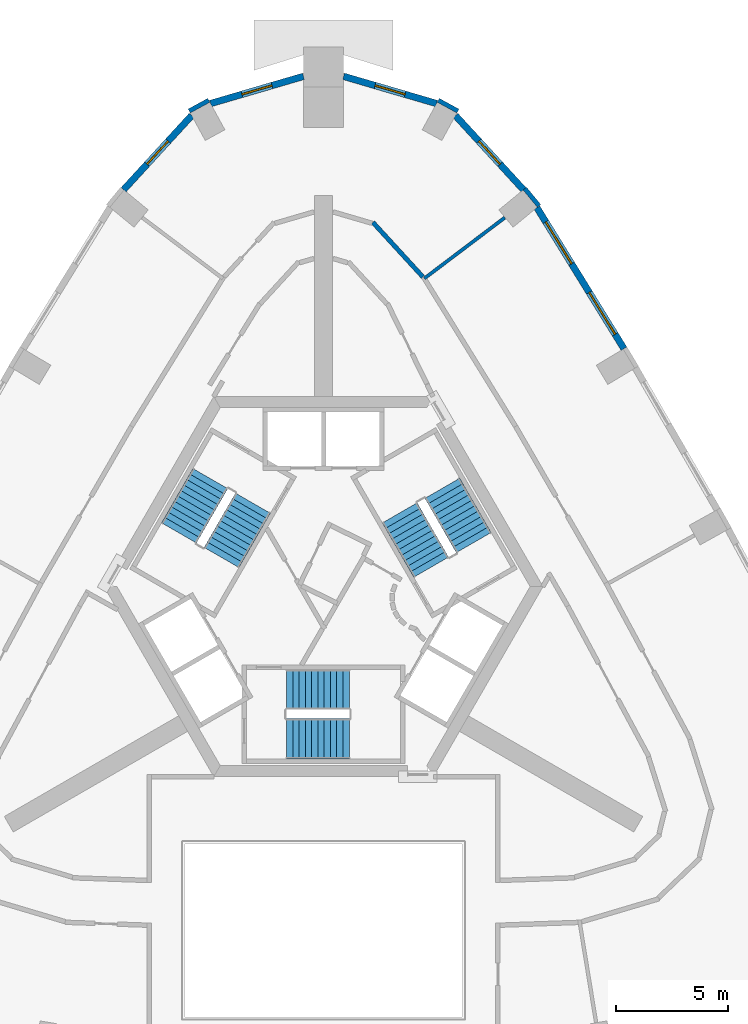
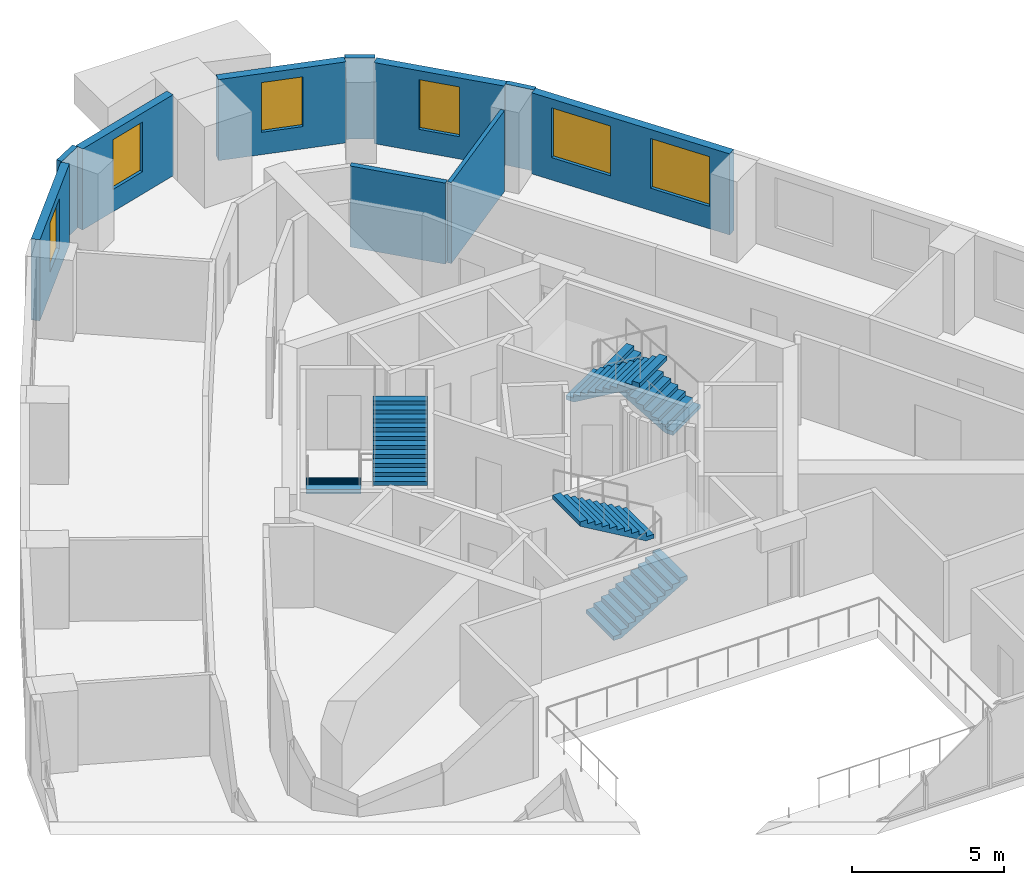
# One storey, part 7 of 9: 10 walls, 6 stair flights, 6 windows, 6 openings, 3 elements without a shape of their own.
"""IFC4 building model written with IfcOpenShell, lengths in metres."""

from ifc_helpers import new_model, si_unit, direction, frame, frame_2d, origin, place, context, subcontext, project, spatial, polyline, rectangle, outline, extrude, material, layer, layer_set, type_object, element, fill, aggregate, save


model = new_model("IFC4")

# Units and contexts
model_context = context("Model", 3, precision=1e-05, world=origin(), true_north=direction((0.0, 1.0)))
body_context = subcontext(model_context, "Body", "Model", "MODEL_VIEW")
ifc_project = project(units=[si_unit("LENGTHUNIT", "METRE"), si_unit("AREAUNIT", "SQUARE_METRE"), si_unit("VOLUMEUNIT", "CUBIC_METRE"), si_unit("PLANEANGLEUNIT", "RADIAN"), si_unit("MASSUNIT", "GRAM", prefix="KILO")], contexts=[model_context])

# Site, building, storey
site_placement = place(None, origin())
site = spatial("IfcSite", under=ifc_project, at=site_placement, CompositionType="ELEMENT")
building_placement = place(site_placement, origin())
building = spatial("IfcBuilding", under=site, at=building_placement, Name="Entoto Arch Interchange Tower", CompositionType="ELEMENT")
storey_placement = place(building_placement, frame((0.0, 0.0, 315.199951171875)))
storey = spatial("IfcBuildingStorey", under=building, at=storey_placement, Name="L74", CompositionType="ELEMENT", Elevation=315.199951171875)

# Walls
ifc_material_1 = material(Name="Gypsum board partition on steel studs", Category="steel")
ifc_layer_1 = layer(ifc_material_1, 0.14990234375)
ifc_layer_set_1 = layer_set([ifc_layer_1], Name="Gypsum board partition on steel studs")
wall_type_1 = type_object("IfcWallType", Name="PARTITION 150", PredefinedType="PARTITIONING", material=ifc_layer_set_1)
wall_1_placement = place(storey_placement, frame((4.507080078125, 16.279052734375, 0.0), z_axis=(0.0, 0.0, 1.0), x_axis=(0.797594482062, 0.603194033611, 0.0)))
element("IfcWall", 1, at=wall_1_placement, inside=storey, type_object=wall_type_1, Name="wall:L74:p071", PredefinedType="PARTITIONING", context=body_context, shape_type="SweptSolid", body=[
    extrude(rectangle(XDim=4.506103515625, YDim=0.14990234375, at=frame_2d((2.2529296875, 0.0))), origin(), (0.0, 0.0, 1.0), 3.260009765625),
])
ifc_layer_2 = layer(ifc_material_1, 0.199951171875)
ifc_layer_set_2 = layer_set([ifc_layer_2], Name="Gypsum board partition on steel studs")
wall_type_2 = type_object("IfcWallType", Name="PARTITION 200", PredefinedType="PARTITIONING", material=ifc_layer_set_2)
wall_2_placement = place(storey_placement, frame((2.2041015625, 18.791015625, 0.0), z_axis=(0.0, 0.0, 1.0), x_axis=(0.675731313907, -0.737148011871, 0.0)))
element("IfcWall", 2, at=wall_2_placement, inside=storey, type_object=wall_type_2, Name="wall:L74:p041", PredefinedType="PARTITIONING", context=body_context, shape_type="SweptSolid", body=[
    extrude(rectangle(XDim=3.307373046875, YDim=0.199951171875, at=frame_2d((1.65380859375, 0.0))), origin(), (0.0, 0.0, 1.0), 3.260009765625),
])

# Wall, openings, windows
ifc_material_2 = material(Name="Welded tuff (ignimbrite) cladding, warm buff", Category="masonry")
ifc_layer_3 = layer(ifc_material_2, 0.300048828125)
ifc_layer_set_3 = layer_set([ifc_layer_3], Name="Welded tuff (ignimbrite) cladding, warm buff")
wall_type_3 = type_object("IfcWallType", Name="STONE INFILL WALL 300", PredefinedType="STANDARD", material=ifc_layer_set_3)
wall_3_placement = place(storey_placement, frame((13.43505859375, 13.139892578125, 0.0), z_axis=(0.0, 0.0, 1.0), x_axis=(-0.525070792614, 0.851058554239, 0.0)))
wall_3 = element("IfcWall", 3, at=wall_3_placement, inside=storey, type_object=wall_type_3, Name="Facade wall NE-03 L74", PredefinedType="STANDARD", context=body_context, shape_type="SweptSolid", body=[
    extrude(rectangle(XDim=7.414306640625, YDim=0.300048828125, at=frame_2d((3.70703125, 0.0))), origin(), (0.0, 0.0, 1.0), 3.260009765625),
])
opening_1_placement = place(wall_3_placement, frame((0.75390625, 0.0, 0.89990234375)))
opening_1 = element("IfcOpeningElement", 4, at=opening_1_placement, cuts=wall_3, Name="Opening WH-A", PredefinedType="OPENING", context=body_context, shape_type="SweptSolid", body=[
    extrude(rectangle(XDim=2.199951171875, YDim=2.0, at=frame_2d((1.10009765625, 1.0))), frame((0.0, 0.16015625, 0.0), z_axis=(0.0, -1.0, 0.0), x_axis=(1.0, 0.0, 0.0)), (0.0, 0.0, 1.0), 0.320068359375),
])
opening_2_placement = place(wall_3_placement, frame((4.4609375, 0.0, 0.89990234375)))
opening_2 = element("IfcOpeningElement", 5, at=opening_2_placement, cuts=wall_3, Name="Opening WH-A", PredefinedType="OPENING", context=body_context, shape_type="SweptSolid", body=[
    extrude(rectangle(XDim=2.199951171875, YDim=2.0, at=frame_2d((1.10009765625, 1.0))), frame((0.0, 0.16015625, 0.0), z_axis=(0.0, -1.0, 0.0), x_axis=(1.0, 0.0, 0.0)), (0.0, 0.0, 1.0), 0.320068359375),
])
ifc_material_3 = material(Name="Clear glass, low-e double glazed", Category="glass")
window_type_1 = type_object("IfcWindowType", Name="WINDOW WH-A 2200x2000", PartitioningType="DOUBLE_PANEL_VERTICAL", PredefinedType="WINDOW", material=ifc_material_3)
window_1_placement = place(opening_1_placement, origin())
window_1 = element("IfcWindow", 6, at=window_1_placement, inside=storey, type_object=window_type_1, Name="Window WH-A NE-03 L74", OverallHeight=2.0, OverallWidth=2.199951171875, PartitioningType="SINGLE_PANEL", PredefinedType="WINDOW", context=body_context, shape_type="SweptSolid", body=[
    extrude(rectangle(XDim=2.199951171875, YDim=2.0, at=frame_2d((1.10009765625, 1.0))), frame((0.0, 0.030029296875, 0.0), z_axis=(0.0, -1.0, 0.0), x_axis=(1.0, 0.0, 0.0)), (0.0, 0.0, 1.0), 0.06005859375),
])
fill(opening_1, window_1)
window_2_placement = place(opening_2_placement, origin())
window_2 = element("IfcWindow", 7, at=window_2_placement, inside=storey, type_object=window_type_1, Name="Window WH-A NE-03 L74", OverallHeight=2.0, OverallWidth=2.199951171875, PartitioningType="SINGLE_PANEL", PredefinedType="WINDOW", context=body_context, shape_type="SweptSolid", body=[
    extrude(rectangle(XDim=2.199951171875, YDim=2.0, at=frame_2d((1.10009765625, 1.0))), frame((0.0, 0.030029296875, 0.0), z_axis=(0.0, -1.0, 0.0), x_axis=(1.0, 0.0, 0.0)), (0.0, 0.0, 1.0), 0.06005859375),
])
fill(opening_2, window_2)

# Wall, opening, window
wall_4_placement = place(storey_placement, frame((8.93994140625, 20.248046875, 0.0), z_axis=(0.0, 0.0, 1.0), x_axis=(-0.675798306171, 0.737086595575, 0.0)))
wall_4 = element("IfcWall", 8, at=wall_4_placement, inside=storey, type_object=wall_type_3, Name="Facade wall N-01 L74", PredefinedType="STANDARD", context=body_context, shape_type="SweptSolid", body=[
    extrude(rectangle(XDim=4.501220703125, YDim=0.300048828125, at=frame_2d((2.25048828125, 0.0))), origin(), (0.0, 0.0, 1.0), 3.260009765625),
])
opening_3_placement = place(wall_4_placement, frame((1.551025390625, 0.0, 0.89990234375)))
opening_3 = element("IfcOpeningElement", 9, at=opening_3_placement, cuts=wall_4, Name="Opening WH-B", PredefinedType="OPENING", context=body_context, shape_type="SweptSolid", body=[
    extrude(rectangle(XDim=1.39990234375, YDim=2.0, at=frame_2d((0.699951171875, 1.0))), frame((0.0, 0.16015625, 0.0), z_axis=(0.0, -1.0, 0.0), x_axis=(1.0, 0.0, 0.0)), (0.0, 0.0, 1.0), 0.320068359375),
])
window_type_2 = type_object("IfcWindowType", Name="WINDOW WH-B 1400x2000", PartitioningType="DOUBLE_PANEL_VERTICAL", PredefinedType="WINDOW", material=ifc_material_3)
window_3_placement = place(opening_3_placement, origin())
window_3 = element("IfcWindow", 10, at=window_3_placement, inside=storey, type_object=window_type_2, Name="Window WH-B N-01 L74", OverallHeight=2.0, OverallWidth=1.39990234375, PartitioningType="SINGLE_PANEL", PredefinedType="WINDOW", context=body_context, shape_type="SweptSolid", body=[
    extrude(rectangle(XDim=1.39990234375, YDim=2.0, at=frame_2d((0.699951171875, 1.0))), frame((0.0, 0.030029296875, 0.0), z_axis=(0.0, -1.0, 0.0), x_axis=(1.0, 0.0, 0.0)), (0.0, 0.0, 1.0), 0.06005859375),
])
fill(opening_3, window_3)

wall_5_placement = place(storey_placement, frame((5.052978515625, 24.10302734375, 0.0), z_axis=(0.0, 0.0, 1.0), x_axis=(-0.959783015329, 0.28074287789, 0.0)))
wall_5 = element("IfcWall", 11, at=wall_5_placement, inside=storey, type_object=wall_type_3, Name="Facade wall N-02 L74", PredefinedType="STANDARD", context=body_context, shape_type="SweptSolid", body=[
    extrude(rectangle(XDim=4.328125, YDim=0.300048828125, at=frame_2d((2.1640625, 0.0))), origin(), (0.0, 0.0, 1.0), 3.260009765625),
])
opening_4_placement = place(wall_5_placement, frame((1.464111328125, 0.0, 0.89990234375)))
opening_4 = element("IfcOpeningElement", 12, at=opening_4_placement, cuts=wall_5, Name="Opening WH-B", PredefinedType="OPENING", context=body_context, shape_type="SweptSolid", body=[
    extrude(rectangle(XDim=1.39990234375, YDim=2.0, at=frame_2d((0.699951171875, 1.0))), frame((0.0, 0.16015625, 0.0), z_axis=(0.0, -1.0, 0.0), x_axis=(1.0, 0.0, 0.0)), (0.0, 0.0, 1.0), 0.320068359375),
])
window_4_placement = place(opening_4_placement, origin())
window_4 = element("IfcWindow", 13, at=window_4_placement, inside=storey, type_object=window_type_2, Name="Window WH-B N-02 L74", OverallHeight=2.0, OverallWidth=1.39990234375, PartitioningType="SINGLE_PANEL", PredefinedType="WINDOW", context=body_context, shape_type="SweptSolid", body=[
    extrude(rectangle(XDim=1.39990234375, YDim=2.0, at=frame_2d((0.699951171875, 1.0))), frame((0.0, 0.030029296875, 0.0), z_axis=(0.0, -1.0, 0.0), x_axis=(1.0, 0.0, 0.0)), (0.0, 0.0, 1.0), 0.06005859375),
])
fill(opening_4, window_4)

wall_6_placement = place(storey_placement, frame((-0.89892578125, 25.318115234375, 0.0), z_axis=(0.0, 0.0, 1.0), x_axis=(-0.959783015329, -0.28074287789, 0.0)))
wall_6 = element("IfcWall", 14, at=wall_6_placement, inside=storey, type_object=wall_type_3, Name="Facade wall N-03 L74", PredefinedType="STANDARD", context=body_context, shape_type="SweptSolid", body=[
    extrude(rectangle(XDim=4.328125, YDim=0.300048828125, at=frame_2d((2.1640625, 0.0))), origin(), (0.0, 0.0, 1.0), 3.260009765625),
])
opening_5_placement = place(wall_6_placement, frame((1.464111328125, 0.0, 0.89990234375)))
opening_5 = element("IfcOpeningElement", 15, at=opening_5_placement, cuts=wall_6, Name="Opening WH-B", PredefinedType="OPENING", context=body_context, shape_type="SweptSolid", body=[
    extrude(rectangle(XDim=1.39990234375, YDim=2.0, at=frame_2d((0.699951171875, 1.0))), frame((0.0, 0.16015625, 0.0), z_axis=(0.0, -1.0, 0.0), x_axis=(1.0, 0.0, 0.0)), (0.0, 0.0, 1.0), 0.320068359375),
])
window_5_placement = place(opening_5_placement, origin())
window_5 = element("IfcWindow", 16, at=window_5_placement, inside=storey, type_object=window_type_2, Name="Window WH-B N-03 L74", OverallHeight=2.0, OverallWidth=1.39990234375, PartitioningType="SINGLE_PANEL", PredefinedType="WINDOW", context=body_context, shape_type="SweptSolid", body=[
    extrude(rectangle(XDim=1.39990234375, YDim=2.0, at=frame_2d((0.699951171875, 1.0))), frame((0.0, 0.030029296875, 0.0), z_axis=(0.0, -1.0, 0.0), x_axis=(1.0, 0.0, 0.0)), (0.0, 0.0, 1.0), 0.06005859375),
])
fill(opening_5, window_5)

wall_7_placement = place(storey_placement, frame((-5.89794921875, 23.56591796875, 0.0), z_axis=(0.0, 0.0, 1.0), x_axis=(-0.675798306171, -0.737086595575, 0.0)))
wall_7 = element("IfcWall", 17, at=wall_7_placement, inside=storey, type_object=wall_type_3, Name="Facade wall N-04 L74", PredefinedType="STANDARD", context=body_context, shape_type="SweptSolid", body=[
    extrude(rectangle(XDim=4.501220703125, YDim=0.300048828125, at=frame_2d((2.25048828125, 0.0))), origin(), (0.0, 0.0, 1.0), 3.260009765625),
])
opening_6_placement = place(wall_7_placement, frame((1.551025390625, 0.0, 0.89990234375)))
opening_6 = element("IfcOpeningElement", 18, at=opening_6_placement, cuts=wall_7, Name="Opening WH-B", PredefinedType="OPENING", context=body_context, shape_type="SweptSolid", body=[
    extrude(rectangle(XDim=1.39990234375, YDim=2.0, at=frame_2d((0.699951171875, 1.0))), frame((0.0, 0.16015625, 0.0), z_axis=(0.0, -1.0, 0.0), x_axis=(1.0, 0.0, 0.0)), (0.0, 0.0, 1.0), 0.320068359375),
])
window_6_placement = place(opening_6_placement, origin())
window_6 = element("IfcWindow", 19, at=window_6_placement, inside=storey, type_object=window_type_2, Name="Window WH-B N-04 L74", OverallHeight=2.0, OverallWidth=1.39990234375, PartitioningType="SINGLE_PANEL", PredefinedType="WINDOW", context=body_context, shape_type="SweptSolid", body=[
    extrude(rectangle(XDim=1.39990234375, YDim=2.0, at=frame_2d((0.699951171875, 1.0))), frame((0.0, 0.030029296875, 0.0), z_axis=(0.0, -1.0, 0.0), x_axis=(1.0, 0.0, 0.0)), (0.0, 0.0, 1.0), 0.06005859375),
])
fill(opening_6, window_6)

# Walls
ifc_layer_4 = layer(ifc_material_2, 0.199951171875)
ifc_layer_set_4 = layer_set([ifc_layer_4], Name="Welded tuff (ignimbrite) cladding, warm buff")
wall_type_4 = type_object("IfcWallType", Name="STONE PIER CLADDING 200", PredefinedType="STANDARD", material=ifc_layer_set_4)
for number, where, z_axis, x_axis, name in (
    (20, (6.008056640625, 23.76708984375, 0.0), (0.0, 0.0, 1.0), (-0.877895572914, 0.478852130681, 0.0), "Stone pier N1 L74"),
    (21, (-5.1298828125, 24.24609375, 0.0), (0.0, 0.0, 1.0), (-0.877895572914, -0.478852130681, 0.0), "Stone pier N3 L74"),
):
    element("IfcWall", number, at=place(storey_placement, frame(where, z_axis=z_axis, x_axis=x_axis)), inside=storey, type_object=wall_type_4, Name=name, PredefinedType="STANDARD", context=body_context, shape_type="SweptSolid", body=[
        extrude(rectangle(XDim=1.000244140625, YDim=0.199951171875, at=frame_2d((0.5, 0.0))), origin(), (0.0, 0.0, 1.0), 3.260009765625),
    ])
wall_8_placement = place(storey_placement, frame((9.635009765625, 19.52490234375, 0.0), z_axis=(0.0, 0.0, 1.0), x_axis=(-0.6357329148, 0.77190910154, 0.0)))
element("IfcWall", 22, at=wall_8_placement, inside=storey, type_object=wall_type_4, Name="Stone pier NE04 L74", PredefinedType="STANDARD", context=body_context, shape_type="SweptSolid", body=[
    extrude(rectangle(XDim=1.00048828125, YDim=0.199951171875, at=frame_2d((0.500244140625, 0.0))), origin(), (0.0, 0.0, 1.0), 3.260009765625),
])

# Stair, stair flights
ifc_material_4 = material(Name="Concrete C40/50", Category="concrete")
stair_type = type_object("IfcStairType", Name="EXIT STAIR RC 1800", PredefinedType="HALF_TURN_STAIR", material=ifc_material_4)
stair_1_placement = place(storey_placement, origin())
stair_1 = element("IfcStair", 23, at=stair_1_placement, inside=storey, type_object=stair_type, Name="L74 Exit stair S", PredefinedType="HALF_TURN_STAIR")
stair_flight_type = type_object("IfcStairFlightType", Name="EXIT STAIR FLIGHT RC 1800", PredefinedType="STRAIGHT", material=ifc_material_4)
stair_flight_1_placement = place(storey_placement, frame((-1.64990234375, -4.300048828125, 0.0), z_axis=(0.0, 0.0, 1.0), x_axis=(1.0, 0.0, 0.0)))
stair_flight_1 = element("IfcStairFlight", 24, at=stair_flight_1_placement, type_object=stair_flight_type, Name="ST-S flight 1", NumberOfRisers=11, NumberOfTreads=10, PredefinedType="STRAIGHT", RiserHeight=0.163636364, TreadLength=0.28, context=body_context, shape_type="SweptSolid", body=[
    extrude(outline(polyline([(-0.0029296875, 0.0), (-0.0029296875, 0.16357421875), (0.280029296875, 0.16357421875), (0.280029296875, 0.327392578125), (0.56005859375, 0.327392578125), (0.56005859375, 0.490966796875), (0.840087890625, 0.490966796875), (0.840087890625, 0.654541015625), (1.1201171875, 0.654541015625), (1.1201171875, 0.818115234375), (1.39990234375, 0.818115234375), (1.39990234375, 0.98193359375), (1.679931640625, 0.98193359375), (1.679931640625, 1.1455078125), (1.9599609375, 1.1455078125), (1.9599609375, 1.30908203125), (2.239990234375, 1.30908203125), (2.239990234375, 1.47265625), (2.52001953125, 1.47265625), (2.52001953125, 1.636474609375), (2.800048828125, 1.636474609375), (2.802978515625, 1.636474609375), (2.802978515625, 1.464599609375), (0.297119140625, 0.0), (-0.0029296875, 0.0)])), frame((0.0, 0.89990234375, 0.0), z_axis=(0.0, -1.0, 0.0), x_axis=(1.0, 0.0, 0.0)), (0.0, 0.0, 1.0), 1.800048828125),
])
stair_flight_2_placement = place(storey_placement, frame((1.14990234375, -2.10009765625, 1.800048828125), z_axis=(0.0, 0.0, 1.0), x_axis=(-1.0, 0.0, 0.0)))
stair_flight_2 = element("IfcStairFlight", 25, at=stair_flight_2_placement, type_object=stair_flight_type, Name="ST-S flight 2", NumberOfRisers=11, NumberOfTreads=10, PredefinedType="STRAIGHT", RiserHeight=0.163636364, TreadLength=0.28, context=body_context, shape_type="SweptSolid", body=[
    extrude(outline(polyline([(-0.0029296875, 0.0), (-0.0029296875, 0.16357421875), (0.280029296875, 0.16357421875), (0.280029296875, 0.327392578125), (0.56005859375, 0.327392578125), (0.56005859375, 0.490966796875), (0.840087890625, 0.490966796875), (0.840087890625, 0.654541015625), (1.1201171875, 0.654541015625), (1.1201171875, 0.818115234375), (1.39990234375, 0.818115234375), (1.39990234375, 0.98193359375), (1.679931640625, 0.98193359375), (1.679931640625, 1.1455078125), (1.9599609375, 1.1455078125), (1.9599609375, 1.30908203125), (2.239990234375, 1.30908203125), (2.239990234375, 1.47265625), (2.52001953125, 1.47265625), (2.52001953125, 1.636474609375), (2.800048828125, 1.636474609375), (2.802978515625, 1.636474609375), (2.802978515625, 1.464599609375), (0.297119140625, 0.0), (-0.0029296875, 0.0)])), frame((0.0, 0.89990234375, 0.0), z_axis=(0.0, -1.0, 0.0), x_axis=(1.0, 0.0, 0.0)), (0.0, 0.0, 1.0), 1.800048828125),
])
aggregate(stair_1, [stair_flight_1, stair_flight_2])

stair_2_placement = place(storey_placement, origin())
stair_2 = element("IfcStair", 26, at=stair_2_placement, inside=storey, type_object=stair_type, Name="L74 Exit stair NE", PredefinedType="HALF_TURN_STAIR")
stair_flight_3_placement = place(storey_placement, frame((6.7138671875, 4.470947265625, 0.0), z_axis=(0.0, 0.0, 1.0), x_axis=(-0.5, 0.866025403784, 0.0)))
stair_flight_3 = element("IfcStairFlight", 27, at=stair_flight_3_placement, type_object=stair_flight_type, Name="ST-NE flight 1", NumberOfRisers=11, NumberOfTreads=10, PredefinedType="STRAIGHT", RiserHeight=0.163636364, TreadLength=0.28, context=body_context, shape_type="SweptSolid", body=[
    extrude(outline(polyline([(-0.0029296875, 0.0), (-0.0029296875, 0.16357421875), (0.280029296875, 0.16357421875), (0.280029296875, 0.327392578125), (0.56005859375, 0.327392578125), (0.56005859375, 0.490966796875), (0.840087890625, 0.490966796875), (0.840087890625, 0.654541015625), (1.1201171875, 0.654541015625), (1.1201171875, 0.818115234375), (1.39990234375, 0.818115234375), (1.39990234375, 0.98193359375), (1.679931640625, 0.98193359375), (1.679931640625, 1.1455078125), (1.9599609375, 1.1455078125), (1.9599609375, 1.30908203125), (2.239990234375, 1.30908203125), (2.239990234375, 1.47265625), (2.52001953125, 1.47265625), (2.52001953125, 1.636474609375), (2.800048828125, 1.636474609375), (2.802978515625, 1.636474609375), (2.802978515625, 1.464599609375), (0.297119140625, 0.0), (-0.0029296875, 0.0)])), frame((0.0, 0.89990234375, 0.0), z_axis=(0.0, -1.0, 0.0), x_axis=(1.0, 0.0, 0.0)), (0.0, 0.0, 1.0), 1.800048828125),
])
stair_flight_4_placement = place(storey_placement, frame((3.40869140625, 5.7958984375, 1.800048828125), z_axis=(0.0, 0.0, 1.0), x_axis=(0.5, -0.866025403784, 0.0)))
stair_flight_4 = element("IfcStairFlight", 28, at=stair_flight_4_placement, type_object=stair_flight_type, Name="ST-NE flight 2", NumberOfRisers=11, NumberOfTreads=10, PredefinedType="STRAIGHT", RiserHeight=0.163636364, TreadLength=0.28, context=body_context, shape_type="SweptSolid", body=[
    extrude(outline(polyline([(-0.0029296875, 0.0), (-0.0029296875, 0.16357421875), (0.280029296875, 0.16357421875), (0.280029296875, 0.327392578125), (0.56005859375, 0.327392578125), (0.56005859375, 0.490966796875), (0.840087890625, 0.490966796875), (0.840087890625, 0.654541015625), (1.1201171875, 0.654541015625), (1.1201171875, 0.818115234375), (1.39990234375, 0.818115234375), (1.39990234375, 0.98193359375), (1.679931640625, 0.98193359375), (1.679931640625, 1.1455078125), (1.9599609375, 1.1455078125), (1.9599609375, 1.30908203125), (2.239990234375, 1.30908203125), (2.239990234375, 1.47265625), (2.52001953125, 1.47265625), (2.52001953125, 1.636474609375), (2.800048828125, 1.636474609375), (2.802978515625, 1.636474609375), (2.802978515625, 1.464599609375), (0.297119140625, 0.0), (-0.0029296875, 0.0)])), frame((0.0, 0.89990234375, 0.0), z_axis=(0.0, -1.0, 0.0), x_axis=(1.0, 0.0, 0.0)), (0.0, 0.0, 1.0), 1.800048828125),
])
aggregate(stair_2, [stair_flight_3, stair_flight_4])

stair_3_placement = place(storey_placement, origin())
stair_3 = element("IfcStair", 29, at=stair_3_placement, inside=storey, type_object=stair_type, Name="L74 Exit stair NW", PredefinedType="HALF_TURN_STAIR")
stair_flight_5_placement = place(storey_placement, frame((-5.06396484375, 7.328857421875, 0.0), z_axis=(0.0, 0.0, 1.0), x_axis=(-0.5, -0.866025403784, 0.0)))
stair_flight_5 = element("IfcStairFlight", 30, at=stair_flight_5_placement, type_object=stair_flight_type, Name="ST-NW flight 1", NumberOfRisers=11, NumberOfTreads=10, PredefinedType="STRAIGHT", RiserHeight=0.163636364, TreadLength=0.28, context=body_context, shape_type="SweptSolid", body=[
    extrude(outline(polyline([(-0.0029296875, 0.0), (-0.0029296875, 0.16357421875), (0.280029296875, 0.16357421875), (0.280029296875, 0.327392578125), (0.56005859375, 0.327392578125), (0.56005859375, 0.490966796875), (0.840087890625, 0.490966796875), (0.840087890625, 0.654541015625), (1.1201171875, 0.654541015625), (1.1201171875, 0.818115234375), (1.39990234375, 0.818115234375), (1.39990234375, 0.98193359375), (1.679931640625, 0.98193359375), (1.679931640625, 1.1455078125), (1.9599609375, 1.1455078125), (1.9599609375, 1.30908203125), (2.239990234375, 1.30908203125), (2.239990234375, 1.47265625), (2.52001953125, 1.47265625), (2.52001953125, 1.636474609375), (2.800048828125, 1.636474609375), (2.802978515625, 1.636474609375), (2.802978515625, 1.464599609375), (0.297119140625, 0.0), (-0.0029296875, 0.0)])), frame((0.0, 0.89990234375, 0.0), z_axis=(0.0, -1.0, 0.0), x_axis=(1.0, 0.0, 0.0)), (0.0, 0.0, 1.0), 1.800048828125),
])
stair_flight_6_placement = place(storey_placement, frame((-4.558837890625, 3.803955078125, 1.800048828125), z_axis=(0.0, 0.0, 1.0), x_axis=(0.5, 0.866025403784, 0.0)))
stair_flight_6 = element("IfcStairFlight", 31, at=stair_flight_6_placement, type_object=stair_flight_type, Name="ST-NW flight 2", NumberOfRisers=11, NumberOfTreads=10, PredefinedType="STRAIGHT", RiserHeight=0.163636364, TreadLength=0.28, context=body_context, shape_type="SweptSolid", body=[
    extrude(outline(polyline([(-0.0029296875, 0.0), (-0.0029296875, 0.16357421875), (0.280029296875, 0.16357421875), (0.280029296875, 0.327392578125), (0.56005859375, 0.327392578125), (0.56005859375, 0.490966796875), (0.840087890625, 0.490966796875), (0.840087890625, 0.654541015625), (1.1201171875, 0.654541015625), (1.1201171875, 0.818115234375), (1.39990234375, 0.818115234375), (1.39990234375, 0.98193359375), (1.679931640625, 0.98193359375), (1.679931640625, 1.1455078125), (1.9599609375, 1.1455078125), (1.9599609375, 1.30908203125), (2.239990234375, 1.30908203125), (2.239990234375, 1.47265625), (2.52001953125, 1.47265625), (2.52001953125, 1.636474609375), (2.800048828125, 1.636474609375), (2.802978515625, 1.636474609375), (2.802978515625, 1.464599609375), (0.297119140625, 0.0), (-0.0029296875, 0.0)])), frame((0.0, 0.89990234375, 0.0), z_axis=(0.0, -1.0, 0.0), x_axis=(1.0, 0.0, 0.0)), (0.0, 0.0, 1.0), 1.800048828125),
])
aggregate(stair_3, [stair_flight_5, stair_flight_6])

save(model, "model.ifc")
